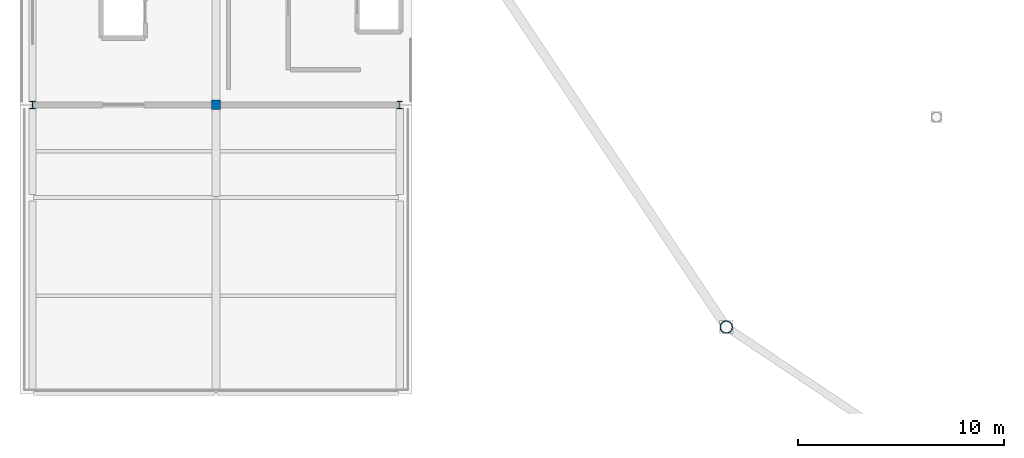
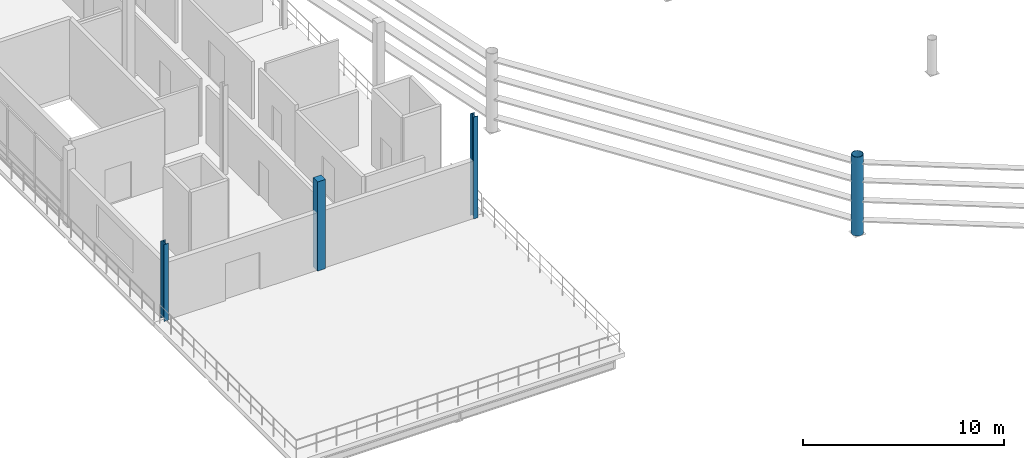
# One storey, part 1 of 29: 4 columns.
"""IFC4 building model written with IfcOpenShell, lengths in metres."""

from ifc_helpers import new_model, si_unit, direction, frame, origin, origin_2d, place, context, subcontext, project, spatial, rectangle, hollow_circle, i_section, extrude, material, material_profile, profile_set, type_object, element, save


model = new_model("IFC4")

# Units and contexts
model_context = context("Model", 3, precision=1e-05, world=origin(), true_north=direction((0.0, 1.0)))
body_context = subcontext(model_context, "Body", "Model", "MODEL_VIEW")
ifc_project = project(units=[si_unit("LENGTHUNIT", "METRE"), si_unit("AREAUNIT", "SQUARE_METRE"), si_unit("VOLUMEUNIT", "CUBIC_METRE"), si_unit("PLANEANGLEUNIT", "RADIAN"), si_unit("MASSUNIT", "GRAM", prefix="KILO")], contexts=[model_context])

# Site, building, storey
site_placement = place(None, origin())
site = spatial("IfcSite", under=ifc_project, at=site_placement, CompositionType="ELEMENT")
building_placement = place(site_placement, origin())
building = spatial("IfcBuilding", under=site, at=building_placement, Name="Candeia Ridge Stadium", CompositionType="ELEMENT")
storey_placement = place(building_placement, frame((0.0, 0.0, 27.0)))
storey = spatial("IfcBuildingStorey", under=building, at=storey_placement, Name="L05", CompositionType="ELEMENT", Elevation=27.0)

# Columns
ifc_material_1 = material(Name="Steel ASTM A572 Grade 50", Category="steel")
ifc_material_profile_1 = material_profile(ifc_material_1, i_section(OverallWidth=0.257080078125, OverallDepth=0.363037109375, WebThickness=0.012939453125, FlangeThickness=0.021728515625, FilletRadius=0.014892578125, at=origin_2d()), Name="W360x122", Category="steel")
ifc_profile_set_1 = profile_set([ifc_material_profile_1], Name="Steel ASTM A572 Grade 50")
column_type_1 = type_object("IfcColumnType", Name="Gate Steel Column W360x122", PredefinedType="COLUMN", material=ifc_profile_set_1)
column_1_placement = place(storey_placement, frame((0.60009765625, 45.0, 0.0), z_axis=(0.0, 0.0, 1.0), x_axis=(1.0, 0.0, 0.0)))
element("IfcColumn", 1, at=column_1_placement, inside=storey, type_object=column_type_1, Name="Structural column WP-00-03 L05", PredefinedType="COLUMN", context=body_context, shape_type="SweptSolid", body=[
    extrude(i_section(OverallWidth=0.257080078125, OverallDepth=0.363037109375, WebThickness=0.012939453125, FlangeThickness=0.021728515625, FilletRadius=0.014892578125, at=origin_2d()), origin(), (0.0, 0.0, 1.0), 4.671142578125),
])
column_2_placement = place(storey_placement, frame((18.39990234375, 45.0, 0.0), z_axis=(0.0, 0.0, 1.0), x_axis=(1.0, 0.0, 0.0)))
element("IfcColumn", 2, at=column_2_placement, inside=storey, type_object=column_type_1, Name="Structural column WP-02-03 L05", PredefinedType="COLUMN", context=body_context, shape_type="SweptSolid", body=[
    extrude(i_section(OverallWidth=0.257080078125, OverallDepth=0.363037109375, WebThickness=0.012939453125, FlangeThickness=0.021728515625, FilletRadius=0.014892578125, at=origin_2d()), origin(), (0.0, 0.0, 1.0), 6.18603515625),
])
ifc_material_2 = material(Name="Concrete C40/50", Category="concrete")
ifc_material_profile_2 = material_profile(ifc_material_2, rectangle(XDim=0.449951171875, YDim=0.449951171875, at=origin_2d()), Name="RC450x450", Category="concrete")
ifc_profile_set_2 = profile_set([ifc_material_profile_2], Name="Concrete C40/50")
column_type_2 = type_object("IfcColumnType", Name="Reinforced Concrete Column RC450x450", PredefinedType="COLUMN", material=ifc_profile_set_2)
column_3_placement = place(storey_placement, frame((9.5, 45.0, 0.0), z_axis=(0.0, 0.0, 1.0), x_axis=(1.0, 0.0, 0.0)))
element("IfcColumn", 3, at=column_3_placement, inside=storey, type_object=column_type_2, Name="Structural column WP-01-03 L05", PredefinedType="COLUMN", context=body_context, shape_type="SweptSolid", body=[
    extrude(rectangle(XDim=0.449951171875, YDim=0.449951171875, at=origin_2d()), origin(), (0.0, 0.0, 1.0), 5.428466796875),
])
ifc_material_profile_3 = material_profile(ifc_material_1, hollow_circle(Radius=0.304931640625, WallThickness=0.02490234375, at=origin_2d()), Name="CHS610x25", Category="steel")
ifc_profile_set_3 = profile_set([ifc_material_profile_3], Name="Steel ASTM A572 Grade 50")
column_type_3 = type_object("IfcColumnType", Name="Roof Mast Column CHS610x25", PredefinedType="PILASTER", material=ifc_profile_set_3)
column_4_placement = place(storey_placement, frame((34.23046875, 34.23046875, 0.0), z_axis=(0.0, 0.0, 1.0), x_axis=(1.0, 0.0, 0.0)))
element("IfcColumn", 4, at=column_4_placement, inside=storey, type_object=column_type_3, Name="Roof truss steel mast column BC-OU-16 L05", PredefinedType="PILASTER", context=body_context, shape_type="SweptSolid", body=[
    extrude(hollow_circle(Radius=0.304931640625, WallThickness=0.02490234375, at=origin_2d()), origin(), (0.0, 0.0, 1.0), 4.800048828125),
])

save(model, "model.ifc")
